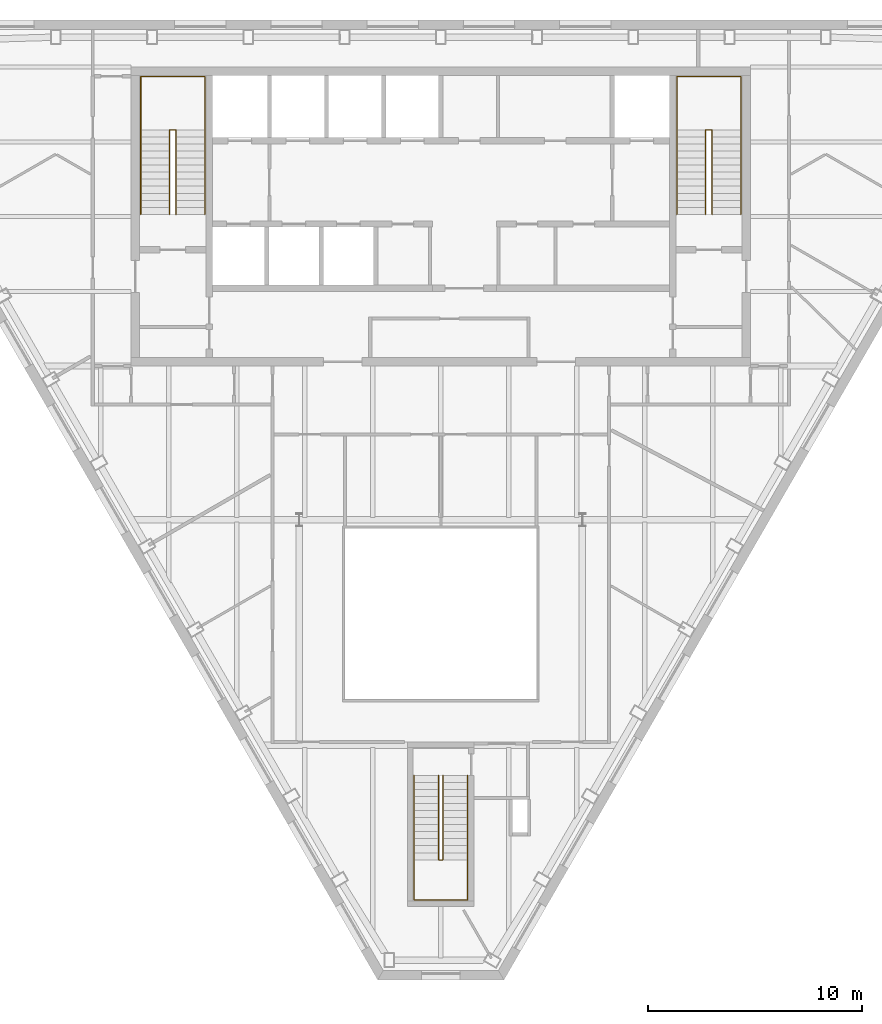
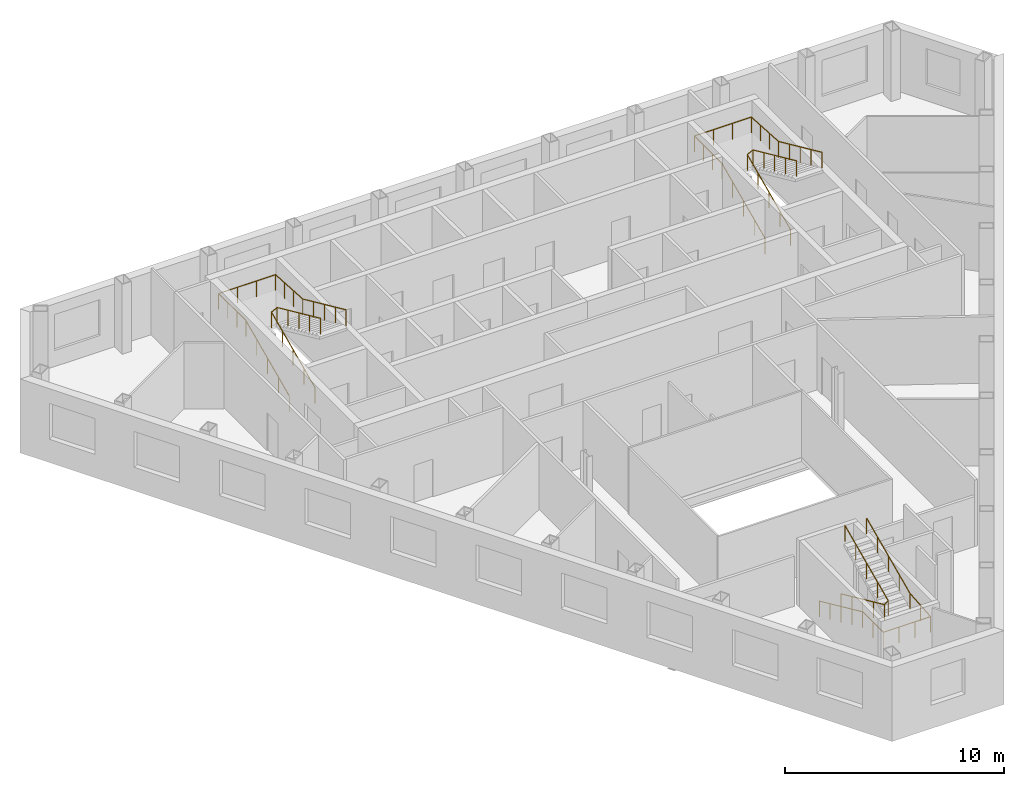
# One storey, part 10 of 10: 6 railings.
"""IFC4 building model written with IfcOpenShell, lengths in metres."""

from ifc_helpers import new_model, si_unit, direction, frame, origin, origin_2d, place, context, subcontext, project, spatial, circle, extrude, material, type_object, element, save


model = new_model("IFC4")

# Units and contexts
model_context = context("Model", 3, precision=1e-05, world=origin(), true_north=direction((0.0, 1.0)))
body_context = subcontext(model_context, "Body", "Model", "MODEL_VIEW")
ifc_project = project(units=[si_unit("LENGTHUNIT", "METRE"), si_unit("AREAUNIT", "SQUARE_METRE"), si_unit("VOLUMEUNIT", "CUBIC_METRE"), si_unit("PLANEANGLEUNIT", "RADIAN"), si_unit("MASSUNIT", "GRAM", prefix="KILO")], contexts=[model_context])

# Site, building, storey
site_placement = place(None, origin())
site = spatial("IfcSite", under=ifc_project, at=site_placement, CompositionType="ELEMENT")
building_placement = place(site_placement, origin())
building = spatial("IfcBuilding", under=site, at=building_placement, Name="Njiva Tower", CompositionType="ELEMENT")
storey_placement = place(building_placement, frame((0.0, 0.0, 264.9)))
storey = spatial("IfcBuildingStorey", under=building, at=storey_placement, Name="L60", CompositionType="ELEMENT", Elevation=264.9)

# Railings
ifc_material = material(Name="Stainless steel", Category="steel")
railing_type = type_object("IfcRailingType", Name="RL1 Stair handrail 900", PredefinedType="HANDRAIL", material=ifc_material)
railing_1_placement = place(storey_placement, frame((-14.05, 11.1, 0.15)))
element("IfcRailing", 1, at=railing_1_placement, inside=storey, type_object=railing_type, Name="Stair A handrail", PredefinedType="HANDRAIL", context=body_context, shape_type="SweptSolid", body=[
    extrude(circle(Radius=0.024, at=origin_2d()), frame((0.0, 0.0, 0.876), z_axis=(0.0, 0.910366477463, 0.413802944301), x_axis=(-1.0, 0.0, 0.0)), (0.0, 0.0, 1.0), 4.3499),
    extrude(circle(Radius=0.024, at=origin_2d()), frame((0.0, 3.96, 2.676), z_axis=(0.0, 1.0, 0.0), x_axis=(-1.0, 0.0, 0.0)), (0.0, 0.0, 1.0), 2.49),
    extrude(circle(Radius=0.024, at=origin_2d()), frame((0.0, 6.45, 2.676), z_axis=(1.0, 0.0, 0.0), x_axis=(0.0, 1.0, 0.0)), (0.0, 0.0, 1.0), 3.0),
    extrude(circle(Radius=0.024, at=origin_2d()), frame((3.0, 6.45, 2.676), z_axis=(0.0, -0.998190436793, 0.060131954024), x_axis=(1.0, 0.0, 0.0)), (0.0, 0.0, 1.0), 2.4945),
    extrude(circle(Radius=0.024, at=origin_2d()), frame((3.0, 3.96, 2.826), z_axis=(0.0, -0.910366477463, 0.413802944301), x_axis=(1.0, 0.0, 0.0)), (0.0, 0.0, 1.0), 4.3499),
    extrude(circle(Radius=0.021, at=origin_2d()), origin(), (0.0, 0.0, 1.0), 0.852),
    extrude(circle(Radius=0.021, at=origin_2d()), frame((0.0, 0.99, 0.45)), (0.0, 0.0, 1.0), 0.852),
    extrude(circle(Radius=0.021, at=origin_2d()), frame((0.0, 1.98, 0.9)), (0.0, 0.0, 1.0), 0.852),
    extrude(circle(Radius=0.021, at=origin_2d()), frame((0.0, 2.97, 1.35)), (0.0, 0.0, 1.0), 0.852),
    extrude(circle(Radius=0.021, at=origin_2d()), frame((0.0, 3.96, 1.8)), (0.0, 0.0, 1.0), 0.852),
    extrude(circle(Radius=0.021, at=origin_2d()), frame((0.0, 4.79, 1.8)), (0.0, 0.0, 1.0), 0.852),
    extrude(circle(Radius=0.021, at=origin_2d()), frame((0.0, 5.62, 1.8)), (0.0, 0.0, 1.0), 0.852),
    extrude(circle(Radius=0.021, at=origin_2d()), frame((0.0, 6.45, 1.8)), (0.0, 0.0, 1.0), 0.852),
    extrude(circle(Radius=0.021, at=origin_2d()), frame((1.0, 6.45, 1.8)), (0.0, 0.0, 1.0), 0.852),
    extrude(circle(Radius=0.021, at=origin_2d()), frame((2.0, 6.45, 1.8)), (0.0, 0.0, 1.0), 0.852),
    extrude(circle(Radius=0.021, at=origin_2d()), frame((3.0, 6.45, 1.8)), (0.0, 0.0, 1.0), 0.852),
    extrude(circle(Radius=0.021, at=origin_2d()), frame((3.0, 5.62, 1.85)), (0.0, 0.0, 1.0), 0.852),
    extrude(circle(Radius=0.021, at=origin_2d()), frame((3.0, 4.79, 1.9)), (0.0, 0.0, 1.0), 0.852),
    extrude(circle(Radius=0.021, at=origin_2d()), frame((3.0, 3.96, 1.95)), (0.0, 0.0, 1.0), 0.852),
    extrude(circle(Radius=0.021, at=origin_2d()), frame((3.0, 2.97, 2.4)), (0.0, 0.0, 1.0), 0.852),
    extrude(circle(Radius=0.021, at=origin_2d()), frame((3.0, 1.98, 2.85)), (0.0, 0.0, 1.0), 0.852),
    extrude(circle(Radius=0.021, at=origin_2d()), frame((3.0, 0.99, 3.3)), (0.0, 0.0, 1.0), 0.852),
    extrude(circle(Radius=0.021, at=origin_2d()), frame((3.0, 0.0, 3.75)), (0.0, 0.0, 1.0), 0.852),
])
railing_2_placement = place(storey_placement, frame((-12.7, 11.1, 0.15)))
element("IfcRailing", 2, at=railing_2_placement, inside=storey, type_object=railing_type, Name="Stair A handrail", PredefinedType="HANDRAIL", context=body_context, shape_type="SweptSolid", body=[
    extrude(circle(Radius=0.024, at=origin_2d()), frame((0.0, 0.0, 0.876), z_axis=(0.0, 0.910366477463, 0.413802944301), x_axis=(-1.0, 0.0, 0.0)), (0.0, 0.0, 1.0), 4.3499),
    extrude(circle(Radius=0.024, at=origin_2d()), frame((0.0, 3.96, 2.676), z_axis=(0.894427191, 0.0, 0.4472135955), x_axis=(0.0, 1.0, 0.0)), (0.0, 0.0, 1.0), 0.3354),
    extrude(circle(Radius=0.024, at=origin_2d()), frame((0.3, 3.96, 2.826), z_axis=(0.0, -0.910366477463, 0.413802944301), x_axis=(1.0, 0.0, 0.0)), (0.0, 0.0, 1.0), 4.3499),
    extrude(circle(Radius=0.021, at=origin_2d()), origin(), (0.0, 0.0, 1.0), 0.852),
    extrude(circle(Radius=0.021, at=origin_2d()), frame((0.0, 0.99, 0.45)), (0.0, 0.0, 1.0), 0.852),
    extrude(circle(Radius=0.021, at=origin_2d()), frame((0.0, 1.98, 0.9)), (0.0, 0.0, 1.0), 0.852),
    extrude(circle(Radius=0.021, at=origin_2d()), frame((0.0, 2.97, 1.35)), (0.0, 0.0, 1.0), 0.852),
    extrude(circle(Radius=0.021, at=origin_2d()), frame((0.0, 3.96, 1.8)), (0.0, 0.0, 1.0), 0.852),
    extrude(circle(Radius=0.021, at=origin_2d()), frame((0.3, 3.96, 1.95)), (0.0, 0.0, 1.0), 0.852),
    extrude(circle(Radius=0.021, at=origin_2d()), frame((0.3, 2.97, 2.4)), (0.0, 0.0, 1.0), 0.852),
    extrude(circle(Radius=0.021, at=origin_2d()), frame((0.3, 1.98, 2.85)), (0.0, 0.0, 1.0), 0.852),
    extrude(circle(Radius=0.021, at=origin_2d()), frame((0.3, 0.99, 3.3)), (0.0, 0.0, 1.0), 0.852),
    extrude(circle(Radius=0.021, at=origin_2d()), frame((0.3, 0.0, 3.75)), (0.0, 0.0, 1.0), 0.852),
])
railing_3_placement = place(storey_placement, frame((11.05, 11.1, 0.15)))
element("IfcRailing", 3, at=railing_3_placement, inside=storey, type_object=railing_type, Name="Stair B handrail", PredefinedType="HANDRAIL", context=body_context, shape_type="SweptSolid", body=[
    extrude(circle(Radius=0.024, at=origin_2d()), frame((0.0, 0.0, 0.876), z_axis=(0.0, 0.910366477463, 0.413802944301), x_axis=(-1.0, 0.0, 0.0)), (0.0, 0.0, 1.0), 4.3499),
    extrude(circle(Radius=0.024, at=origin_2d()), frame((0.0, 3.96, 2.676), z_axis=(0.0, 1.0, 0.0), x_axis=(-1.0, 0.0, 0.0)), (0.0, 0.0, 1.0), 2.49),
    extrude(circle(Radius=0.024, at=origin_2d()), frame((0.0, 6.45, 2.676), z_axis=(1.0, 0.0, 0.0), x_axis=(0.0, 1.0, 0.0)), (0.0, 0.0, 1.0), 3.0),
    extrude(circle(Radius=0.024, at=origin_2d()), frame((3.0, 6.45, 2.676), z_axis=(0.0, -0.998190436793, 0.060131954024), x_axis=(1.0, 0.0, 0.0)), (0.0, 0.0, 1.0), 2.4945),
    extrude(circle(Radius=0.024, at=origin_2d()), frame((3.0, 3.96, 2.826), z_axis=(0.0, -0.910366477463, 0.413802944301), x_axis=(1.0, 0.0, 0.0)), (0.0, 0.0, 1.0), 4.3499),
    extrude(circle(Radius=0.021, at=origin_2d()), origin(), (0.0, 0.0, 1.0), 0.852),
    extrude(circle(Radius=0.021, at=origin_2d()), frame((0.0, 0.99, 0.45)), (0.0, 0.0, 1.0), 0.852),
    extrude(circle(Radius=0.021, at=origin_2d()), frame((0.0, 1.98, 0.9)), (0.0, 0.0, 1.0), 0.852),
    extrude(circle(Radius=0.021, at=origin_2d()), frame((0.0, 2.97, 1.35)), (0.0, 0.0, 1.0), 0.852),
    extrude(circle(Radius=0.021, at=origin_2d()), frame((0.0, 3.96, 1.8)), (0.0, 0.0, 1.0), 0.852),
    extrude(circle(Radius=0.021, at=origin_2d()), frame((0.0, 4.79, 1.8)), (0.0, 0.0, 1.0), 0.852),
    extrude(circle(Radius=0.021, at=origin_2d()), frame((0.0, 5.62, 1.8)), (0.0, 0.0, 1.0), 0.852),
    extrude(circle(Radius=0.021, at=origin_2d()), frame((0.0, 6.45, 1.8)), (0.0, 0.0, 1.0), 0.852),
    extrude(circle(Radius=0.021, at=origin_2d()), frame((1.0, 6.45, 1.8)), (0.0, 0.0, 1.0), 0.852),
    extrude(circle(Radius=0.021, at=origin_2d()), frame((2.0, 6.45, 1.8)), (0.0, 0.0, 1.0), 0.852),
    extrude(circle(Radius=0.021, at=origin_2d()), frame((3.0, 6.45, 1.8)), (0.0, 0.0, 1.0), 0.852),
    extrude(circle(Radius=0.021, at=origin_2d()), frame((3.0, 5.62, 1.85)), (0.0, 0.0, 1.0), 0.852),
    extrude(circle(Radius=0.021, at=origin_2d()), frame((3.0, 4.79, 1.9)), (0.0, 0.0, 1.0), 0.852),
    extrude(circle(Radius=0.021, at=origin_2d()), frame((3.0, 3.96, 1.95)), (0.0, 0.0, 1.0), 0.852),
    extrude(circle(Radius=0.021, at=origin_2d()), frame((3.0, 2.97, 2.4)), (0.0, 0.0, 1.0), 0.852),
    extrude(circle(Radius=0.021, at=origin_2d()), frame((3.0, 1.98, 2.85)), (0.0, 0.0, 1.0), 0.852),
    extrude(circle(Radius=0.021, at=origin_2d()), frame((3.0, 0.99, 3.3)), (0.0, 0.0, 1.0), 0.852),
    extrude(circle(Radius=0.021, at=origin_2d()), frame((3.0, 0.0, 3.75)), (0.0, 0.0, 1.0), 0.852),
])
railing_4_placement = place(storey_placement, frame((12.4, 11.1, 0.15)))
element("IfcRailing", 4, at=railing_4_placement, inside=storey, type_object=railing_type, Name="Stair B handrail", PredefinedType="HANDRAIL", context=body_context, shape_type="SweptSolid", body=[
    extrude(circle(Radius=0.024, at=origin_2d()), frame((0.0, 0.0, 0.876), z_axis=(0.0, 0.910366477463, 0.413802944301), x_axis=(-1.0, 0.0, 0.0)), (0.0, 0.0, 1.0), 4.3499),
    extrude(circle(Radius=0.024, at=origin_2d()), frame((0.0, 3.96, 2.676), z_axis=(0.894427191, 0.0, 0.4472135955), x_axis=(0.0, 1.0, 0.0)), (0.0, 0.0, 1.0), 0.3354),
    extrude(circle(Radius=0.024, at=origin_2d()), frame((0.3, 3.96, 2.826), z_axis=(0.0, -0.910366477463, 0.413802944301), x_axis=(1.0, 0.0, 0.0)), (0.0, 0.0, 1.0), 4.3499),
    extrude(circle(Radius=0.021, at=origin_2d()), origin(), (0.0, 0.0, 1.0), 0.852),
    extrude(circle(Radius=0.021, at=origin_2d()), frame((0.0, 0.99, 0.45)), (0.0, 0.0, 1.0), 0.852),
    extrude(circle(Radius=0.021, at=origin_2d()), frame((0.0, 1.98, 0.9)), (0.0, 0.0, 1.0), 0.852),
    extrude(circle(Radius=0.021, at=origin_2d()), frame((0.0, 2.97, 1.35)), (0.0, 0.0, 1.0), 0.852),
    extrude(circle(Radius=0.021, at=origin_2d()), frame((0.0, 3.96, 1.8)), (0.0, 0.0, 1.0), 0.852),
    extrude(circle(Radius=0.021, at=origin_2d()), frame((0.3, 3.96, 1.95)), (0.0, 0.0, 1.0), 0.852),
    extrude(circle(Radius=0.021, at=origin_2d()), frame((0.3, 2.97, 2.4)), (0.0, 0.0, 1.0), 0.852),
    extrude(circle(Radius=0.021, at=origin_2d()), frame((0.3, 1.98, 2.85)), (0.0, 0.0, 1.0), 0.852),
    extrude(circle(Radius=0.021, at=origin_2d()), frame((0.3, 0.99, 3.3)), (0.0, 0.0, 1.0), 0.852),
    extrude(circle(Radius=0.021, at=origin_2d()), frame((0.3, 0.0, 3.75)), (0.0, 0.0, 1.0), 0.852),
])
railing_5_placement = place(storey_placement, frame((-1.25, -15.16, 0.15)))
element("IfcRailing", 5, at=railing_5_placement, inside=storey, type_object=railing_type, Name="Stair C handrail", PredefinedType="HANDRAIL", context=body_context, shape_type="SweptSolid", body=[
    extrude(circle(Radius=0.024, at=origin_2d()), frame((0.0, 0.0, 0.876), z_axis=(0.0, -0.910366477463, 0.413802944301), x_axis=(1.0, 0.0, 0.0)), (0.0, 0.0, 1.0), 4.3499),
    extrude(circle(Radius=0.024, at=origin_2d()), frame((0.0, -3.96, 2.676), z_axis=(0.0, -1.0, 0.0), x_axis=(1.0, 0.0, 0.0)), (0.0, 0.0, 1.0), 1.88),
    extrude(circle(Radius=0.024, at=origin_2d()), frame((0.0, -5.84, 2.676), z_axis=(1.0, 0.0, 0.0), x_axis=(0.0, 1.0, 0.0)), (0.0, 0.0, 1.0), 2.5),
    extrude(circle(Radius=0.024, at=origin_2d()), frame((2.5, -5.84, 2.676), z_axis=(0.0, 0.996832115713, 0.079534477318), x_axis=(-1.0, 0.0, 0.0)), (0.0, 0.0, 1.0), 1.886),
    extrude(circle(Radius=0.024, at=origin_2d()), frame((2.5, -3.96, 2.826), z_axis=(0.0, 0.910366477463, 0.413802944301), x_axis=(-1.0, 0.0, 0.0)), (0.0, 0.0, 1.0), 4.3499),
    extrude(circle(Radius=0.021, at=origin_2d()), origin(), (0.0, 0.0, 1.0), 0.852),
    extrude(circle(Radius=0.021, at=origin_2d()), frame((0.0, -0.99, 0.45)), (0.0, 0.0, 1.0), 0.852),
    extrude(circle(Radius=0.021, at=origin_2d()), frame((0.0, -1.98, 0.9)), (0.0, 0.0, 1.0), 0.852),
    extrude(circle(Radius=0.021, at=origin_2d()), frame((0.0, -2.97, 1.35)), (0.0, 0.0, 1.0), 0.852),
    extrude(circle(Radius=0.021, at=origin_2d()), frame((0.0, -3.96, 1.8)), (0.0, 0.0, 1.0), 0.852),
    extrude(circle(Radius=0.021, at=origin_2d()), frame((0.0, -4.9, 1.8)), (0.0, 0.0, 1.0), 0.852),
    extrude(circle(Radius=0.021, at=origin_2d()), frame((0.0, -5.84, 1.8)), (0.0, 0.0, 1.0), 0.852),
    extrude(circle(Radius=0.021, at=origin_2d()), frame((0.8333, -5.84, 1.8)), (0.0, 0.0, 1.0), 0.852),
    extrude(circle(Radius=0.021, at=origin_2d()), frame((1.6667, -5.84, 1.8)), (0.0, 0.0, 1.0), 0.852),
    extrude(circle(Radius=0.021, at=origin_2d()), frame((2.5, -5.84, 1.8)), (0.0, 0.0, 1.0), 0.852),
    extrude(circle(Radius=0.021, at=origin_2d()), frame((2.5, -4.9, 1.875)), (0.0, 0.0, 1.0), 0.852),
    extrude(circle(Radius=0.021, at=origin_2d()), frame((2.5, -3.96, 1.95)), (0.0, 0.0, 1.0), 0.852),
    extrude(circle(Radius=0.021, at=origin_2d()), frame((2.5, -2.97, 2.4)), (0.0, 0.0, 1.0), 0.852),
    extrude(circle(Radius=0.021, at=origin_2d()), frame((2.5, -1.98, 2.85)), (0.0, 0.0, 1.0), 0.852),
    extrude(circle(Radius=0.021, at=origin_2d()), frame((2.5, -0.99, 3.3)), (0.0, 0.0, 1.0), 0.852),
    extrude(circle(Radius=0.021, at=origin_2d()), frame((2.5, 0.0, 3.75)), (0.0, 0.0, 1.0), 0.852),
])
railing_6_placement = place(storey_placement, frame((-0.1, -15.16, 0.15)))
element("IfcRailing", 6, at=railing_6_placement, inside=storey, type_object=railing_type, Name="Stair C handrail", PredefinedType="HANDRAIL", context=body_context, shape_type="SweptSolid", body=[
    extrude(circle(Radius=0.024, at=origin_2d()), frame((0.0, 0.0, 0.876), z_axis=(0.0, -0.910366477463, 0.413802944301), x_axis=(1.0, 0.0, 0.0)), (0.0, 0.0, 1.0), 4.3499),
    extrude(circle(Radius=0.024, at=origin_2d()), frame((0.0, -3.96, 2.676), z_axis=(0.8, 0.0, 0.6), x_axis=(0.0, 1.0, 0.0)), (0.0, 0.0, 1.0), 0.25),
    extrude(circle(Radius=0.024, at=origin_2d()), frame((0.2, -3.96, 2.826), z_axis=(0.0, 0.910366477463, 0.413802944301), x_axis=(-1.0, 0.0, 0.0)), (0.0, 0.0, 1.0), 4.3499),
    extrude(circle(Radius=0.021, at=origin_2d()), origin(), (0.0, 0.0, 1.0), 0.852),
    extrude(circle(Radius=0.021, at=origin_2d()), frame((0.0, -0.99, 0.45)), (0.0, 0.0, 1.0), 0.852),
    extrude(circle(Radius=0.021, at=origin_2d()), frame((0.0, -1.98, 0.9)), (0.0, 0.0, 1.0), 0.852),
    extrude(circle(Radius=0.021, at=origin_2d()), frame((0.0, -2.97, 1.35)), (0.0, 0.0, 1.0), 0.852),
    extrude(circle(Radius=0.021, at=origin_2d()), frame((0.0, -3.96, 1.8)), (0.0, 0.0, 1.0), 0.852),
    extrude(circle(Radius=0.021, at=origin_2d()), frame((0.2, -3.96, 1.95)), (0.0, 0.0, 1.0), 0.852),
    extrude(circle(Radius=0.021, at=origin_2d()), frame((0.2, -2.97, 2.4)), (0.0, 0.0, 1.0), 0.852),
    extrude(circle(Radius=0.021, at=origin_2d()), frame((0.2, -1.98, 2.85)), (0.0, 0.0, 1.0), 0.852),
    extrude(circle(Radius=0.021, at=origin_2d()), frame((0.2, -0.99, 3.3)), (0.0, 0.0, 1.0), 0.852),
    extrude(circle(Radius=0.021, at=origin_2d()), frame((0.2, 0.0, 3.75)), (0.0, 0.0, 1.0), 0.852),
])

save(model, "model.ifc")
